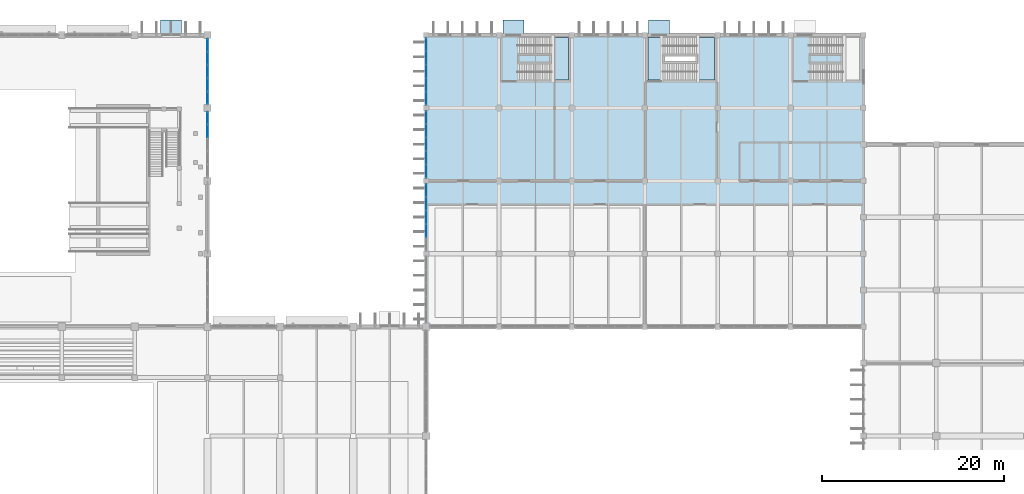
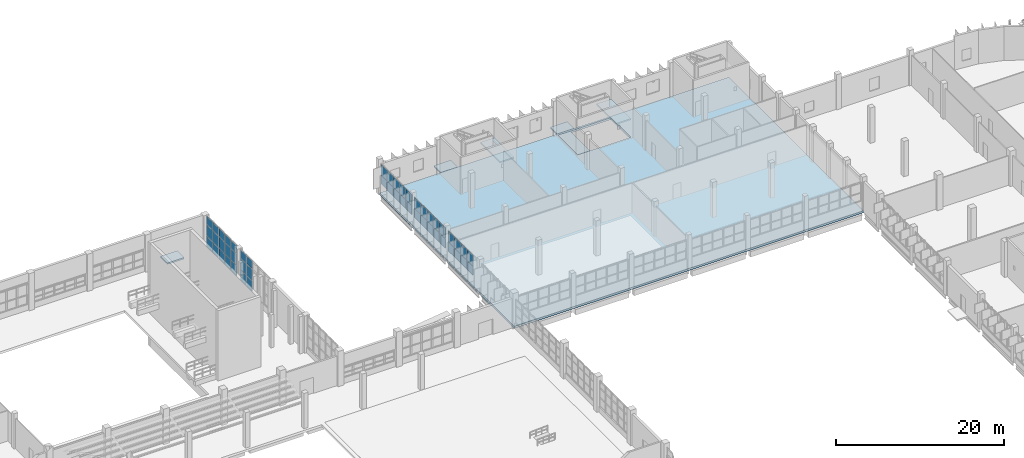
# One storey, part 61 of 103: 49 plates, 7 slabs, 7 elements without a shape of their own.
"""IFC4 building model written with IfcOpenShell, lengths in metres."""

import ifcopenshell
import ifcopenshell.guid

model = None  # the IFC model being written
_history = None  # IfcOwnerHistory: only IFC2X3 demands one
_inside = {}  # id of a spatial element -> (the spatial element, [elements in it])
_under = {}  # id of a project, library or spatial element -> (it, [spatial elements below it])
_declared = {}  # id of a project -> (the project, [libraries it declares])
_typed = {}  # id of a type object -> (the type object, [elements of that type])
_made_of = {}  # id of a material, layer set ... -> (it, [elements and type objects made of it])


def new_model(schema):
    """Start an empty IFC model of exactly this schema.

    Asked for "IFC4X3", IfcOpenShell would pick the latest addendum, in which some entities
    have other attributes; the version numbers below select the first issue.
    IFC2X3 requires an IfcOwnerHistory on every rooted entity: one is made here for all.
    """
    global model, _history
    if schema == "IFC4X3":
        model = ifcopenshell.file(schema_version=(4, 3, 0, 0))
    else:
        model = ifcopenshell.file(schema=schema)
    _inside.clear()
    _under.clear()
    _declared.clear()
    _typed.clear()
    _made_of.clear()
    _history = None
    if model.schema == "IFC2X3":
        org = make("IfcOrganization", Name="unknown")
        user = make(
            "IfcPersonAndOrganization",
            ThePerson=make("IfcPerson", FamilyName="unknown"),
            TheOrganization=org,
        )
        app = make(
            "IfcApplication",
            ApplicationDeveloper=org,
            Version="unknown",
            ApplicationFullName="unknown",
            ApplicationIdentifier="unknown",
        )
        _history = make(
            "IfcOwnerHistory",
            OwningUser=user,
            OwningApplication=app,
            ChangeAction="ADDED",
            CreationDate=0,
        )
    return model


def make(cls, **values):
    """One entity of the class cls with the attributes given. An attribute that is None is left unset."""
    return model.create_entity(
        cls, **{name: value for name, value in values.items() if value is not None}
    )


def rooted(cls, **values):
    """An entity with a GlobalId (a new one), such as an element, a storey or a relation."""
    return make(cls, GlobalId=ifcopenshell.guid.new(), OwnerHistory=_history, **values)


def si_unit(unit_type, name, prefix=None):
    """IfcSIUnit, for example si_unit("LENGTHUNIT", "METRE", prefix="MILLI")."""
    return make("IfcSIUnit", UnitType=unit_type, Prefix=prefix, Name=name)


def assignment(units):
    """IfcUnitAssignment: the units of a project."""
    return None if units is None else make("IfcUnitAssignment", Units=units)


def point(xyz):
    """IfcCartesianPoint."""
    return None if xyz is None else make("IfcCartesianPoint", Coordinates=xyz)


def direction(xyz):
    """IfcDirection."""
    return None if xyz is None else make("IfcDirection", DirectionRatios=xyz)


def frame(location, z_axis=None, x_axis=None):
    """IfcAxis2Placement3D, a coordinate frame: its origin and axes. An axis left out is left unset."""
    return make(
        "IfcAxis2Placement3D",
        Location=point(location),
        Axis=direction(z_axis),
        RefDirection=direction(x_axis),
    )


def frame_2d(location, x_axis=None):
    """IfcAxis2Placement2D, a coordinate frame in the plane: its origin and x axis."""
    return make(
        "IfcAxis2Placement2D", Location=point(location), RefDirection=direction(x_axis)
    )


def origin():
    """The frame at (0, 0, 0) with its axes left unset."""
    return frame((0.0, 0.0, 0.0))


def origin_2d():
    """The frame at (0, 0) in the plane with its x axis left unset."""
    return frame_2d((0.0, 0.0))


def place(relative_to, where):
    """IfcLocalPlacement: puts the frame where relative to a parent placement (None: the world)."""
    return make(
        "IfcLocalPlacement", PlacementRelTo=relative_to, RelativePlacement=where
    )


def context(
    kind, dimensions, precision=None, world=None, true_north=None, identifier=None
):
    """IfcGeometricRepresentationContext, for example the 3D "Model" context."""
    return make(
        "IfcGeometricRepresentationContext",
        ContextIdentifier=identifier,
        ContextType=kind,
        CoordinateSpaceDimension=dimensions,
        Precision=precision,
        WorldCoordinateSystem=world,
        TrueNorth=true_north,
    )


def subcontext(parent, identifier, kind, view, scale=None):
    """IfcGeometricRepresentationSubContext, for example "Body" below "Model"."""
    return make(
        "IfcGeometricRepresentationSubContext",
        ContextIdentifier=identifier,
        ContextType=kind,
        ParentContext=parent,
        TargetScale=scale,
        TargetView=view,
    )


def project(units=None, contexts=None):
    """IfcProject with its units and contexts."""
    return rooted(
        "IfcProject",
        Name="project",
        RepresentationContexts=contexts,
        UnitsInContext=assignment(units),
    )


def spatial(cls, under=None, at=None, **own):
    """A site, building, storey or space (cls), placed at a placement, below another one or the project."""
    s = rooted(cls, ObjectPlacement=at, **own)
    if under is not None:
        _under.setdefault(under.id(), (under, []))[1].append(s)
    return s


def polyline(points):
    """IfcPolyline through the points."""
    return make("IfcPolyline", Points=[point(p) for p in points])


def profile(cls, at=None, kind="AREA", **sizes):
    """A parametric profile (cls). Its sizes go by their IFC names, for example OverallWidth=200.0."""
    return make(cls, ProfileType=kind, Position=at, **sizes)


def rectangle(**sizes):
    """IfcRectangleProfileDef."""
    return profile("IfcRectangleProfileDef", **sizes)


def outline(outer, holes=None, kind="AREA"):
    """IfcArbitraryClosedProfileDef: a profile drawn as a closed curve; with holes, ...WithVoids."""
    if holes is None:
        return make("IfcArbitraryClosedProfileDef", ProfileType=kind, OuterCurve=outer)
    return make(
        "IfcArbitraryProfileDefWithVoids",
        ProfileType=kind,
        OuterCurve=outer,
        InnerCurves=holes,
    )


def extrude(swept, where, along, depth):
    """IfcExtrudedAreaSolid: the profile swept, set in the frame where, extruded along a direction by depth."""
    return make(
        "IfcExtrudedAreaSolid",
        SweptArea=swept,
        Position=where,
        ExtrudedDirection=direction(along),
        Depth=depth,
    )


def shape(context_of_items, identifier, shape_type, items):
    """IfcShapeRepresentation: the items that make up one representation, for example the "Body"."""
    return make(
        "IfcShapeRepresentation",
        ContextOfItems=context_of_items,
        RepresentationIdentifier=identifier,
        RepresentationType=shape_type,
        Items=items,
    )


def material(Name=None, Category=None):
    """IfcMaterial."""
    return make("IfcMaterial", Name=Name, Category=Category)


def layer(
    of_material, thickness, ventilated=None, Name=None, Category=None, Priority=None
):
    """IfcMaterialLayer: one layer of a wall or slab, of a material (None: an air gap)."""
    return make(
        "IfcMaterialLayer",
        Material=of_material,
        LayerThickness=thickness,
        IsVentilated=ventilated,
        Name=Name,
        Category=Category,
        Priority=Priority,
    )


def layer_set(layers, Name=None):
    """IfcMaterialLayerSet."""
    return make("IfcMaterialLayerSet", MaterialLayers=layers, LayerSetName=Name)


def made_of(thing, what):
    """Note that an element or type object is made of a material, layer set ...; save() writes the relation."""
    if what is not None:
        _made_of.setdefault(what.id(), (what, []))[1].append(thing)
    return thing


def type_object(cls, material=None, **own):
    """A type object (cls), such as IfcWallType, which elements share."""
    return made_of(rooted(cls, **own), material)


def element(
    cls,
    number,
    at=None,
    inside=None,
    cuts=None,
    type_object=None,
    material=None,
    context=None,
    identifier="Body",
    shape_type=None,
    held_by="IfcProductDefinitionShape",
    body=None,
    shapes=None,
    **own,
):
    """One element of the class cls, such as IfcWall. Its Tag is "e" and its number.

    at: its placement. inside: the storey or other place that contains it. cuts: it is an
    opening in that element (IfcRelVoidsElement). A single representation is given by context,
    identifier, shape_type and body (its items); several are given by shapes. held_by: the class
    of the entity that holds the representations. save() writes the other relations.
    """
    e = rooted(cls, Tag="e%d" % number, ObjectPlacement=at, **own)
    if body is not None:
        shapes = [shape(context, identifier, shape_type, body)]
    if shapes is not None:
        e.Representation = make(held_by, Representations=shapes)
    if inside is not None:
        _inside.setdefault(inside.id(), (inside, []))[1].append(e)
    if cuts is not None:
        rooted(
            "IfcRelVoidsElement", RelatingBuildingElement=cuts, RelatedOpeningElement=e
        )
    if type_object is not None:
        _typed.setdefault(type_object.id(), (type_object, []))[1].append(e)
    return made_of(e, material)


def aggregate(whole, parts):
    """IfcRelAggregates: a whole, such as a stair, and the parts it consists of."""
    return rooted("IfcRelAggregates", RelatingObject=whole, RelatedObjects=parts)


def save(model, path):
    """Write the relations noted so far, then the file.

    IfcRelAggregates (storeys below a building ...), IfcRelContainedInSpatialStructure (elements
    in a storey), IfcRelDefinesByType, IfcRelAssociatesMaterial and IfcRelDeclares: one each for
    every whole, place, type object, material and project.
    """
    for whole, parts in _under.values():
        aggregate(whole, parts)
    for where, things in _inside.values():
        rooted(
            "IfcRelContainedInSpatialStructure",
            RelatedElements=things,
            RelatingStructure=where,
        )
    for kind, things in _typed.values():
        rooted("IfcRelDefinesByType", RelatedObjects=things, RelatingType=kind)
    for what, things in _made_of.values():
        rooted("IfcRelAssociatesMaterial", RelatedObjects=things, RelatingMaterial=what)
    for by, libraries in _declared.values():
        rooted("IfcRelDeclares", RelatingContext=by, RelatedDefinitions=libraries)
    model.write(path)


model = new_model("IFC4")

# Units and contexts
model_context = context("Model", 3, precision=1e-05, world=origin(), true_north=direction((0.0, 1.0)))
body_context = subcontext(model_context, "Body", "Model", "MODEL_VIEW")
ifc_project = project(units=[si_unit("LENGTHUNIT", "METRE"), si_unit("AREAUNIT", "SQUARE_METRE"), si_unit("VOLUMEUNIT", "CUBIC_METRE"), si_unit("PLANEANGLEUNIT", "RADIAN"), si_unit("MASSUNIT", "GRAM", prefix="KILO")], contexts=[model_context])

# Site, building, storey
site_placement = place(None, origin())
site = spatial("IfcSite", under=ifc_project, at=site_placement, CompositionType="ELEMENT")
building_placement = place(site_placement, origin())
building = spatial("IfcBuilding", under=site, at=building_placement, Name="Drelvana Railside Aquatics Centre", CompositionType="ELEMENT")
storey_placement = place(building_placement, origin())
storey = spatial("IfcBuildingStorey", under=building, at=storey_placement, Name="L00", CompositionType="ELEMENT", Elevation=0.0)

# Curtain wall, plates
ifc_material_1 = material(Name="Bronze-anodised aluminium curtain wall", Category="aluminium")
ifc_layer_1 = layer(ifc_material_1, 0.1650390625, Name="Bronze-anodised aluminium curtain wall")
ifc_layer_set_1 = layer_set([ifc_layer_1], Name="Bronze-anodised aluminium curtain wall")
curtain_wall_type_1 = type_object("IfcCurtainWallType", Name="CW-Z5-COURT", PredefinedType="NOTDEFINED", material=ifc_layer_set_1)
curtain_wall_1_placement = place(storey_placement, origin())
curtain_wall_1 = element("IfcCurtainWall", 1, at=curtain_wall_1_placement, inside=storey, type_object=curtain_wall_type_1, Name="Curtain wall CW-05-129", PredefinedType="NOTDEFINED")
ifc_material_2 = material(Name="Double-glazed low-e solar-control glass", Category="glass")
ifc_layer_2 = layer(ifc_material_2, 0.02587890625, Name="Double-glazed low-e solar-control glass")
ifc_layer_set_2 = layer_set([ifc_layer_2], Name="Double-glazed low-e solar-control glass")
plate_type_1 = type_object("IfcPlateType", Name="CW-Z5-COURT-PAN", PredefinedType="CURTAIN_PANEL", material=ifc_layer_set_2)
plate_1_placement = place(storey_placement, frame((96.0, 94.517578125, 1.4990234375), z_axis=(0.0, 0.0, 1.0), x_axis=(0.0, 1.0, 0.0)))
plate_1 = element("IfcPlate", 2, at=plate_1_placement, type_object=plate_type_1, Name="CW-05 panel 2.1", PredefinedType="CURTAIN_PANEL", context=body_context, shape_type="SweptSolid", body=[
    extrude(rectangle(XDim=1.432373046875, YDim=0.02587890625, at=origin_2d()), origin(), (0.0, 0.0, 1.0), 1.27294921875),
])
plate_2_placement = place(storey_placement, frame((96.0, 94.517578125, 2.82177734375), z_axis=(0.0, 0.0, 1.0), x_axis=(0.0, 1.0, 0.0)))
plate_2 = element("IfcPlate", 3, at=plate_2_placement, type_object=plate_type_1, Name="CW-05 panel 2.2", PredefinedType="CURTAIN_PANEL", context=body_context, shape_type="SweptSolid", body=[
    extrude(rectangle(XDim=1.432373046875, YDim=0.02587890625, at=origin_2d()), origin(), (0.0, 0.0, 1.0), 1.572998046875),
])
plate_3_placement = place(storey_placement, frame((96.0, 96.0, 1.4990234375), z_axis=(0.0, 0.0, 1.0), x_axis=(0.0, 1.0, 0.0)))
plate_3 = element("IfcPlate", 4, at=plate_3_placement, type_object=plate_type_1, Name="CW-05 panel 3.1", PredefinedType="CURTAIN_PANEL", context=body_context, shape_type="SweptSolid", body=[
    extrude(rectangle(XDim=1.432373046875, YDim=0.02587890625, at=origin_2d()), origin(), (0.0, 0.0, 1.0), 1.27294921875),
])
plate_4_placement = place(storey_placement, frame((96.0, 96.0, 2.82177734375), z_axis=(0.0, 0.0, 1.0), x_axis=(0.0, 1.0, 0.0)))
plate_4 = element("IfcPlate", 5, at=plate_4_placement, type_object=plate_type_1, Name="CW-05 panel 3.2", PredefinedType="CURTAIN_PANEL", context=body_context, shape_type="SweptSolid", body=[
    extrude(rectangle(XDim=1.432373046875, YDim=0.02587890625, at=origin_2d()), origin(), (0.0, 0.0, 1.0), 1.572998046875),
])
plate_5_placement = place(storey_placement, frame((96.0, 97.482421875, 1.4990234375), z_axis=(0.0, 0.0, 1.0), x_axis=(0.0, 1.0, 0.0)))
plate_5 = element("IfcPlate", 6, at=plate_5_placement, type_object=plate_type_1, Name="CW-05 panel 4.1", PredefinedType="CURTAIN_PANEL", context=body_context, shape_type="SweptSolid", body=[
    extrude(rectangle(XDim=1.432373046875, YDim=0.02587890625, at=origin_2d()), origin(), (0.0, 0.0, 1.0), 1.27294921875),
])
plate_6_placement = place(storey_placement, frame((96.0, 97.482421875, 2.82177734375), z_axis=(0.0, 0.0, 1.0), x_axis=(0.0, 1.0, 0.0)))
plate_6 = element("IfcPlate", 7, at=plate_6_placement, type_object=plate_type_1, Name="CW-05 panel 4.2", PredefinedType="CURTAIN_PANEL", context=body_context, shape_type="SweptSolid", body=[
    extrude(rectangle(XDim=1.432373046875, YDim=0.02587890625, at=origin_2d()), origin(), (0.0, 0.0, 1.0), 1.572998046875),
])
plate_7_placement = place(storey_placement, frame((96.0, 98.94970703125, 1.4990234375), z_axis=(0.0, 0.0, 1.0), x_axis=(0.0, 1.0, 0.0)))
plate_7 = element("IfcPlate", 8, at=plate_7_placement, type_object=plate_type_1, Name="CW-05 panel 5.1", PredefinedType="CURTAIN_PANEL", context=body_context, shape_type="SweptSolid", body=[
    extrude(rectangle(XDim=1.40234375, YDim=0.02587890625, at=origin_2d()), origin(), (0.0, 0.0, 1.0), 1.27294921875),
])
plate_8_placement = place(storey_placement, frame((96.0, 98.94970703125, 2.82177734375), z_axis=(0.0, 0.0, 1.0), x_axis=(0.0, 1.0, 0.0)))
plate_8 = element("IfcPlate", 9, at=plate_8_placement, type_object=plate_type_1, Name="CW-05 panel 5.2", PredefinedType="CURTAIN_PANEL", context=body_context, shape_type="SweptSolid", body=[
    extrude(rectangle(XDim=1.40234375, YDim=0.02587890625, at=origin_2d()), origin(), (0.0, 0.0, 1.0), 1.572998046875),
])
aggregate(curtain_wall_1, [plate_1, plate_2, plate_3, plate_4, plate_5, plate_6, plate_7, plate_8])

curtain_wall_2_placement = place(storey_placement, origin())
curtain_wall_2 = element("IfcCurtainWall", 10, at=curtain_wall_2_placement, inside=storey, type_object=curtain_wall_type_1, Name="Curtain wall CW-05-131", PredefinedType="NOTDEFINED")
plate_9_placement = place(storey_placement, frame((96.0, 101.05029296875, 1.4990234375), z_axis=(0.0, 0.0, 1.0), x_axis=(0.0, 1.0, 0.0)))
plate_9 = element("IfcPlate", 11, at=plate_9_placement, type_object=plate_type_1, Name="CW-05 panel 1.1", PredefinedType="CURTAIN_PANEL", context=body_context, shape_type="SweptSolid", body=[
    extrude(rectangle(XDim=1.40234375, YDim=0.02587890625, at=origin_2d()), origin(), (0.0, 0.0, 1.0), 1.27294921875),
])
plate_10_placement = place(storey_placement, frame((96.0, 101.05029296875, 2.82177734375), z_axis=(0.0, 0.0, 1.0), x_axis=(0.0, 1.0, 0.0)))
plate_10 = element("IfcPlate", 12, at=plate_10_placement, type_object=plate_type_1, Name="CW-05 panel 1.2", PredefinedType="CURTAIN_PANEL", context=body_context, shape_type="SweptSolid", body=[
    extrude(rectangle(XDim=1.40234375, YDim=0.02587890625, at=origin_2d()), origin(), (0.0, 0.0, 1.0), 1.572998046875),
])
plate_11_placement = place(storey_placement, frame((96.0, 102.517578125, 1.4990234375), z_axis=(0.0, 0.0, 1.0), x_axis=(0.0, 1.0, 0.0)))
plate_11 = element("IfcPlate", 13, at=plate_11_placement, type_object=plate_type_1, Name="CW-05 panel 2.1", PredefinedType="CURTAIN_PANEL", context=body_context, shape_type="SweptSolid", body=[
    extrude(rectangle(XDim=1.432373046875, YDim=0.02587890625, at=origin_2d()), origin(), (0.0, 0.0, 1.0), 1.27294921875),
])
plate_12_placement = place(storey_placement, frame((96.0, 102.517578125, 2.82177734375), z_axis=(0.0, 0.0, 1.0), x_axis=(0.0, 1.0, 0.0)))
plate_12 = element("IfcPlate", 14, at=plate_12_placement, type_object=plate_type_1, Name="CW-05 panel 2.2", PredefinedType="CURTAIN_PANEL", context=body_context, shape_type="SweptSolid", body=[
    extrude(rectangle(XDim=1.432373046875, YDim=0.02587890625, at=origin_2d()), origin(), (0.0, 0.0, 1.0), 1.572998046875),
])
plate_13_placement = place(storey_placement, frame((96.0, 104.0, 1.4990234375), z_axis=(0.0, 0.0, 1.0), x_axis=(0.0, 1.0, 0.0)))
plate_13 = element("IfcPlate", 15, at=plate_13_placement, type_object=plate_type_1, Name="CW-05 panel 3.1", PredefinedType="CURTAIN_PANEL", context=body_context, shape_type="SweptSolid", body=[
    extrude(rectangle(XDim=1.432373046875, YDim=0.02587890625, at=origin_2d()), origin(), (0.0, 0.0, 1.0), 1.27294921875),
])
plate_14_placement = place(storey_placement, frame((96.0, 104.0, 2.82177734375), z_axis=(0.0, 0.0, 1.0), x_axis=(0.0, 1.0, 0.0)))
plate_14 = element("IfcPlate", 16, at=plate_14_placement, type_object=plate_type_1, Name="CW-05 panel 3.2", PredefinedType="CURTAIN_PANEL", context=body_context, shape_type="SweptSolid", body=[
    extrude(rectangle(XDim=1.432373046875, YDim=0.02587890625, at=origin_2d()), origin(), (0.0, 0.0, 1.0), 1.572998046875),
])
plate_15_placement = place(storey_placement, frame((96.0, 105.482421875, 1.4990234375), z_axis=(0.0, 0.0, 1.0), x_axis=(0.0, 1.0, 0.0)))
plate_15 = element("IfcPlate", 17, at=plate_15_placement, type_object=plate_type_1, Name="CW-05 panel 4.1", PredefinedType="CURTAIN_PANEL", context=body_context, shape_type="SweptSolid", body=[
    extrude(rectangle(XDim=1.432373046875, YDim=0.02587890625, at=origin_2d()), origin(), (0.0, 0.0, 1.0), 1.27294921875),
])
plate_16_placement = place(storey_placement, frame((96.0, 105.482421875, 2.82177734375), z_axis=(0.0, 0.0, 1.0), x_axis=(0.0, 1.0, 0.0)))
plate_16 = element("IfcPlate", 18, at=plate_16_placement, type_object=plate_type_1, Name="CW-05 panel 4.2", PredefinedType="CURTAIN_PANEL", context=body_context, shape_type="SweptSolid", body=[
    extrude(rectangle(XDim=1.432373046875, YDim=0.02587890625, at=origin_2d()), origin(), (0.0, 0.0, 1.0), 1.572998046875),
])
plate_17_placement = place(storey_placement, frame((96.0, 106.94970703125, 1.4990234375), z_axis=(0.0, 0.0, 1.0), x_axis=(0.0, 1.0, 0.0)))
plate_17 = element("IfcPlate", 19, at=plate_17_placement, type_object=plate_type_1, Name="CW-05 panel 5.1", PredefinedType="CURTAIN_PANEL", context=body_context, shape_type="SweptSolid", body=[
    extrude(rectangle(XDim=1.40234375, YDim=0.02587890625, at=origin_2d()), origin(), (0.0, 0.0, 1.0), 1.27294921875),
])
plate_18_placement = place(storey_placement, frame((96.0, 106.94970703125, 2.82177734375), z_axis=(0.0, 0.0, 1.0), x_axis=(0.0, 1.0, 0.0)))
plate_18 = element("IfcPlate", 20, at=plate_18_placement, type_object=plate_type_1, Name="CW-05 panel 5.2", PredefinedType="CURTAIN_PANEL", context=body_context, shape_type="SweptSolid", body=[
    extrude(rectangle(XDim=1.40234375, YDim=0.02587890625, at=origin_2d()), origin(), (0.0, 0.0, 1.0), 1.572998046875),
])
aggregate(curtain_wall_2, [plate_9, plate_10, plate_11, plate_12, plate_13, plate_14, plate_15, plate_16, plate_17, plate_18])

curtain_wall_3_placement = place(storey_placement, origin())
curtain_wall_3 = element("IfcCurtainWall", 21, at=curtain_wall_3_placement, inside=storey, type_object=curtain_wall_type_1, Name="Curtain wall CW-05-133", PredefinedType="NOTDEFINED")
plate_19_placement = place(storey_placement, frame((96.0, 109.05029296875, 1.4990234375), z_axis=(0.0, 0.0, 1.0), x_axis=(0.0, 1.0, 0.0)))
plate_19 = element("IfcPlate", 22, at=plate_19_placement, type_object=plate_type_1, Name="CW-05 panel 1.1", PredefinedType="CURTAIN_PANEL", context=body_context, shape_type="SweptSolid", body=[
    extrude(rectangle(XDim=1.40234375, YDim=0.02587890625, at=origin_2d()), origin(), (0.0, 0.0, 1.0), 1.27294921875),
])
plate_20_placement = place(storey_placement, frame((96.0, 109.05029296875, 2.82177734375), z_axis=(0.0, 0.0, 1.0), x_axis=(0.0, 1.0, 0.0)))
plate_20 = element("IfcPlate", 23, at=plate_20_placement, type_object=plate_type_1, Name="CW-05 panel 1.2", PredefinedType="CURTAIN_PANEL", context=body_context, shape_type="SweptSolid", body=[
    extrude(rectangle(XDim=1.40234375, YDim=0.02587890625, at=origin_2d()), origin(), (0.0, 0.0, 1.0), 1.572998046875),
])
plate_21_placement = place(storey_placement, frame((96.0, 110.517578125, 1.4990234375), z_axis=(0.0, 0.0, 1.0), x_axis=(0.0, 1.0, 0.0)))
plate_21 = element("IfcPlate", 24, at=plate_21_placement, type_object=plate_type_1, Name="CW-05 panel 2.1", PredefinedType="CURTAIN_PANEL", context=body_context, shape_type="SweptSolid", body=[
    extrude(rectangle(XDim=1.432373046875, YDim=0.02587890625, at=origin_2d()), origin(), (0.0, 0.0, 1.0), 1.27294921875),
])
plate_22_placement = place(storey_placement, frame((96.0, 110.517578125, 2.82177734375), z_axis=(0.0, 0.0, 1.0), x_axis=(0.0, 1.0, 0.0)))
plate_22 = element("IfcPlate", 25, at=plate_22_placement, type_object=plate_type_1, Name="CW-05 panel 2.2", PredefinedType="CURTAIN_PANEL", context=body_context, shape_type="SweptSolid", body=[
    extrude(rectangle(XDim=1.432373046875, YDim=0.02587890625, at=origin_2d()), origin(), (0.0, 0.0, 1.0), 1.572998046875),
])
plate_23_placement = place(storey_placement, frame((96.0, 112.0, 1.4990234375), z_axis=(0.0, 0.0, 1.0), x_axis=(0.0, 1.0, 0.0)))
plate_23 = element("IfcPlate", 26, at=plate_23_placement, type_object=plate_type_1, Name="CW-05 panel 3.1", PredefinedType="CURTAIN_PANEL", context=body_context, shape_type="SweptSolid", body=[
    extrude(rectangle(XDim=1.432373046875, YDim=0.02587890625, at=origin_2d()), origin(), (0.0, 0.0, 1.0), 1.27294921875),
])
plate_24_placement = place(storey_placement, frame((96.0, 112.0, 2.82177734375), z_axis=(0.0, 0.0, 1.0), x_axis=(0.0, 1.0, 0.0)))
plate_24 = element("IfcPlate", 27, at=plate_24_placement, type_object=plate_type_1, Name="CW-05 panel 3.2", PredefinedType="CURTAIN_PANEL", context=body_context, shape_type="SweptSolid", body=[
    extrude(rectangle(XDim=1.432373046875, YDim=0.02587890625, at=origin_2d()), origin(), (0.0, 0.0, 1.0), 1.572998046875),
])
plate_25_placement = place(storey_placement, frame((96.0, 113.482421875, 1.4990234375), z_axis=(0.0, 0.0, 1.0), x_axis=(0.0, 1.0, 0.0)))
plate_25 = element("IfcPlate", 28, at=plate_25_placement, type_object=plate_type_1, Name="CW-05 panel 4.1", PredefinedType="CURTAIN_PANEL", context=body_context, shape_type="SweptSolid", body=[
    extrude(rectangle(XDim=1.432373046875, YDim=0.02587890625, at=origin_2d()), origin(), (0.0, 0.0, 1.0), 1.27294921875),
])
plate_26_placement = place(storey_placement, frame((96.0, 113.482421875, 2.82177734375), z_axis=(0.0, 0.0, 1.0), x_axis=(0.0, 1.0, 0.0)))
plate_26 = element("IfcPlate", 29, at=plate_26_placement, type_object=plate_type_1, Name="CW-05 panel 4.2", PredefinedType="CURTAIN_PANEL", context=body_context, shape_type="SweptSolid", body=[
    extrude(rectangle(XDim=1.432373046875, YDim=0.02587890625, at=origin_2d()), origin(), (0.0, 0.0, 1.0), 1.572998046875),
])
plate_27_placement = place(storey_placement, frame((96.0, 114.94970703125, 1.4990234375), z_axis=(0.0, 0.0, 1.0), x_axis=(0.0, 1.0, 0.0)))
plate_27 = element("IfcPlate", 30, at=plate_27_placement, type_object=plate_type_1, Name="CW-05 panel 5.1", PredefinedType="CURTAIN_PANEL", context=body_context, shape_type="SweptSolid", body=[
    extrude(rectangle(XDim=1.40234375, YDim=0.02587890625, at=origin_2d()), origin(), (0.0, 0.0, 1.0), 1.27294921875),
])
plate_28_placement = place(storey_placement, frame((96.0, 114.94970703125, 2.82177734375), z_axis=(0.0, 0.0, 1.0), x_axis=(0.0, 1.0, 0.0)))
plate_28 = element("IfcPlate", 31, at=plate_28_placement, type_object=plate_type_1, Name="CW-05 panel 5.2", PredefinedType="CURTAIN_PANEL", context=body_context, shape_type="SweptSolid", body=[
    extrude(rectangle(XDim=1.40234375, YDim=0.02587890625, at=origin_2d()), origin(), (0.0, 0.0, 1.0), 1.572998046875),
])
aggregate(curtain_wall_3, [plate_19, plate_20, plate_21, plate_22, plate_23, plate_24, plate_25, plate_26, plate_27, plate_28])

ifc_layer_3 = layer(ifc_material_1, 0.2099609375, Name="Bronze-anodised aluminium curtain wall")
ifc_layer_set_3 = layer_set([ifc_layer_3], Name="Bronze-anodised aluminium curtain wall")
curtain_wall_type_2 = type_object("IfcCurtainWallType", Name="CW-Z7-DIVE", PredefinedType="NOTDEFINED", material=ifc_layer_set_3)
curtain_wall_4_placement = place(storey_placement, origin())
curtain_wall_4 = element("IfcCurtainWall", 32, at=curtain_wall_4_placement, inside=storey, type_object=curtain_wall_type_2, Name="Curtain wall CW-07-093", PredefinedType="NOTDEFINED")
ifc_layer_4 = layer(ifc_material_2, 0.033935546875, Name="Double-glazed low-e solar-control glass")
ifc_layer_set_4 = layer_set([ifc_layer_4], Name="Double-glazed low-e solar-control glass")
plate_type_2 = type_object("IfcPlateType", Name="CW-Z7-DIVE-PAN", PredefinedType="CURTAIN_PANEL", material=ifc_layer_set_4)
plate_29_placement = place(storey_placement, frame((72.0, 105.452392578125, 0.908935546875), z_axis=(0.0, 0.0, 1.0), x_axis=(0.0, 1.0, 0.0)))
plate_29 = element("IfcPlate", 33, at=plate_29_placement, type_object=plate_type_2, Name="CW-07 panel 4.1", PredefinedType="CURTAIN_PANEL", context=body_context, shape_type="SweptSolid", body=[
    extrude(rectangle(XDim=1.38232421875, YDim=0.033935546875, at=origin_2d()), origin(), (0.0, 0.0, 1.0), 1.49609375),
])
plate_30_placement = place(storey_placement, frame((72.0, 105.452392578125, 2.46484375), z_axis=(0.0, 0.0, 1.0), x_axis=(0.0, 1.0, 0.0)))
plate_30 = element("IfcPlate", 34, at=plate_30_placement, type_object=plate_type_2, Name="CW-07 panel 4.2", PredefinedType="CURTAIN_PANEL", context=body_context, shape_type="SweptSolid", body=[
    extrude(rectangle(XDim=1.38232421875, YDim=0.033935546875, at=origin_2d()), origin(), (0.0, 0.0, 1.0), 1.6220703125),
])
plate_31_placement = place(storey_placement, frame((72.0, 105.452392578125, 4.14697265625), z_axis=(0.0, 0.0, 1.0), x_axis=(0.0, 1.0, 0.0)))
plate_31 = element("IfcPlate", 35, at=plate_31_placement, type_object=plate_type_2, Name="CW-07 panel 4.3", PredefinedType="CURTAIN_PANEL", context=body_context, shape_type="SweptSolid", body=[
    extrude(rectangle(XDim=1.38232421875, YDim=0.033935546875, at=origin_2d()), origin(), (0.0, 0.0, 1.0), 1.177978515625),
])
plate_32_placement = place(storey_placement, frame((72.0, 106.884765625, 0.908935546875), z_axis=(0.0, 0.0, 1.0), x_axis=(0.0, 1.0, 0.0)))
plate_32 = element("IfcPlate", 36, at=plate_32_placement, type_object=plate_type_2, Name="CW-07 panel 5.1", PredefinedType="CURTAIN_PANEL", context=body_context, shape_type="SweptSolid", body=[
    extrude(rectangle(XDim=1.34228515625, YDim=0.033935546875, at=origin_2d()), origin(), (0.0, 0.0, 1.0), 1.49609375),
])
plate_33_placement = place(storey_placement, frame((72.0, 106.884765625, 2.46484375), z_axis=(0.0, 0.0, 1.0), x_axis=(0.0, 1.0, 0.0)))
plate_33 = element("IfcPlate", 37, at=plate_33_placement, type_object=plate_type_2, Name="CW-07 panel 5.2", PredefinedType="CURTAIN_PANEL", context=body_context, shape_type="SweptSolid", body=[
    extrude(rectangle(XDim=1.34228515625, YDim=0.033935546875, at=origin_2d()), origin(), (0.0, 0.0, 1.0), 1.6220703125),
])
plate_34_placement = place(storey_placement, frame((72.0, 106.884765625, 4.14697265625), z_axis=(0.0, 0.0, 1.0), x_axis=(0.0, 1.0, 0.0)))
plate_34 = element("IfcPlate", 38, at=plate_34_placement, type_object=plate_type_2, Name="CW-07 panel 5.3", PredefinedType="CURTAIN_PANEL", context=body_context, shape_type="SweptSolid", body=[
    extrude(rectangle(XDim=1.34228515625, YDim=0.033935546875, at=origin_2d()), origin(), (0.0, 0.0, 1.0), 1.177978515625),
])
aggregate(curtain_wall_4, [plate_29, plate_30, plate_31, plate_32, plate_33, plate_34])

curtain_wall_5_placement = place(storey_placement, origin())
curtain_wall_5 = element("IfcCurtainWall", 39, at=curtain_wall_5_placement, inside=storey, type_object=curtain_wall_type_2, Name="Curtain wall CW-07-096", PredefinedType="NOTDEFINED")
plate_35_placement = place(storey_placement, frame((72.0, 109.115234375, 0.908935546875), z_axis=(0.0, 0.0, 1.0), x_axis=(0.0, 1.0, 0.0)))
plate_35 = element("IfcPlate", 40, at=plate_35_placement, type_object=plate_type_2, Name="CW-07 panel 1.1", PredefinedType="CURTAIN_PANEL", context=body_context, shape_type="SweptSolid", body=[
    extrude(rectangle(XDim=1.34228515625, YDim=0.033935546875, at=origin_2d()), origin(), (0.0, 0.0, 1.0), 1.49609375),
])
plate_36_placement = place(storey_placement, frame((72.0, 109.115234375, 2.46484375), z_axis=(0.0, 0.0, 1.0), x_axis=(0.0, 1.0, 0.0)))
plate_36 = element("IfcPlate", 41, at=plate_36_placement, type_object=plate_type_2, Name="CW-07 panel 1.2", PredefinedType="CURTAIN_PANEL", context=body_context, shape_type="SweptSolid", body=[
    extrude(rectangle(XDim=1.34228515625, YDim=0.033935546875, at=origin_2d()), origin(), (0.0, 0.0, 1.0), 1.6220703125),
])
plate_37_placement = place(storey_placement, frame((72.0, 109.115234375, 4.14697265625), z_axis=(0.0, 0.0, 1.0), x_axis=(0.0, 1.0, 0.0)))
plate_37 = element("IfcPlate", 42, at=plate_37_placement, type_object=plate_type_2, Name="CW-07 panel 1.3", PredefinedType="CURTAIN_PANEL", context=body_context, shape_type="SweptSolid", body=[
    extrude(rectangle(XDim=1.34228515625, YDim=0.033935546875, at=origin_2d()), origin(), (0.0, 0.0, 1.0), 1.177978515625),
])
plate_38_placement = place(storey_placement, frame((72.0, 110.547607421875, 0.908935546875), z_axis=(0.0, 0.0, 1.0), x_axis=(0.0, 1.0, 0.0)))
plate_38 = element("IfcPlate", 43, at=plate_38_placement, type_object=plate_type_2, Name="CW-07 panel 2.1", PredefinedType="CURTAIN_PANEL", context=body_context, shape_type="SweptSolid", body=[
    extrude(rectangle(XDim=1.38232421875, YDim=0.033935546875, at=origin_2d()), origin(), (0.0, 0.0, 1.0), 1.49609375),
])
plate_39_placement = place(storey_placement, frame((72.0, 110.547607421875, 2.46484375), z_axis=(0.0, 0.0, 1.0), x_axis=(0.0, 1.0, 0.0)))
plate_39 = element("IfcPlate", 44, at=plate_39_placement, type_object=plate_type_2, Name="CW-07 panel 2.2", PredefinedType="CURTAIN_PANEL", context=body_context, shape_type="SweptSolid", body=[
    extrude(rectangle(XDim=1.38232421875, YDim=0.033935546875, at=origin_2d()), origin(), (0.0, 0.0, 1.0), 1.6220703125),
])
plate_40_placement = place(storey_placement, frame((72.0, 110.547607421875, 4.14697265625), z_axis=(0.0, 0.0, 1.0), x_axis=(0.0, 1.0, 0.0)))
plate_40 = element("IfcPlate", 45, at=plate_40_placement, type_object=plate_type_2, Name="CW-07 panel 2.3", PredefinedType="CURTAIN_PANEL", context=body_context, shape_type="SweptSolid", body=[
    extrude(rectangle(XDim=1.38232421875, YDim=0.033935546875, at=origin_2d()), origin(), (0.0, 0.0, 1.0), 1.177978515625),
])
plate_41_placement = place(storey_placement, frame((72.0, 112.0, 0.908935546875), z_axis=(0.0, 0.0, 1.0), x_axis=(0.0, 1.0, 0.0)))
plate_41 = element("IfcPlate", 46, at=plate_41_placement, type_object=plate_type_2, Name="CW-07 panel 3.1", PredefinedType="CURTAIN_PANEL", context=body_context, shape_type="SweptSolid", body=[
    extrude(rectangle(XDim=1.38232421875, YDim=0.033935546875, at=origin_2d()), origin(), (0.0, 0.0, 1.0), 1.49609375),
])
plate_42_placement = place(storey_placement, frame((72.0, 112.0, 2.46484375), z_axis=(0.0, 0.0, 1.0), x_axis=(0.0, 1.0, 0.0)))
plate_42 = element("IfcPlate", 47, at=plate_42_placement, type_object=plate_type_2, Name="CW-07 panel 3.2", PredefinedType="CURTAIN_PANEL", context=body_context, shape_type="SweptSolid", body=[
    extrude(rectangle(XDim=1.38232421875, YDim=0.033935546875, at=origin_2d()), origin(), (0.0, 0.0, 1.0), 1.6220703125),
])
plate_43_placement = place(storey_placement, frame((72.0, 112.0, 4.14697265625), z_axis=(0.0, 0.0, 1.0), x_axis=(0.0, 1.0, 0.0)))
plate_43 = element("IfcPlate", 48, at=plate_43_placement, type_object=plate_type_2, Name="CW-07 panel 3.3", PredefinedType="CURTAIN_PANEL", context=body_context, shape_type="SweptSolid", body=[
    extrude(rectangle(XDim=1.38232421875, YDim=0.033935546875, at=origin_2d()), origin(), (0.0, 0.0, 1.0), 1.177978515625),
])
plate_44_placement = place(storey_placement, frame((72.0, 113.452392578125, 0.908935546875), z_axis=(0.0, 0.0, 1.0), x_axis=(0.0, 1.0, 0.0)))
plate_44 = element("IfcPlate", 49, at=plate_44_placement, type_object=plate_type_2, Name="CW-07 panel 4.1", PredefinedType="CURTAIN_PANEL", context=body_context, shape_type="SweptSolid", body=[
    extrude(rectangle(XDim=1.38232421875, YDim=0.033935546875, at=origin_2d()), origin(), (0.0, 0.0, 1.0), 1.49609375),
])
plate_45_placement = place(storey_placement, frame((72.0, 113.452392578125, 2.46484375), z_axis=(0.0, 0.0, 1.0), x_axis=(0.0, 1.0, 0.0)))
plate_45 = element("IfcPlate", 50, at=plate_45_placement, type_object=plate_type_2, Name="CW-07 panel 4.2", PredefinedType="CURTAIN_PANEL", context=body_context, shape_type="SweptSolid", body=[
    extrude(rectangle(XDim=1.38232421875, YDim=0.033935546875, at=origin_2d()), origin(), (0.0, 0.0, 1.0), 1.6220703125),
])
plate_46_placement = place(storey_placement, frame((72.0, 113.452392578125, 4.14697265625), z_axis=(0.0, 0.0, 1.0), x_axis=(0.0, 1.0, 0.0)))
plate_46 = element("IfcPlate", 51, at=plate_46_placement, type_object=plate_type_2, Name="CW-07 panel 4.3", PredefinedType="CURTAIN_PANEL", context=body_context, shape_type="SweptSolid", body=[
    extrude(rectangle(XDim=1.38232421875, YDim=0.033935546875, at=origin_2d()), origin(), (0.0, 0.0, 1.0), 1.177978515625),
])
plate_47_placement = place(storey_placement, frame((72.0, 114.884765625, 0.908935546875), z_axis=(0.0, 0.0, 1.0), x_axis=(0.0, 1.0, 0.0)))
plate_47 = element("IfcPlate", 52, at=plate_47_placement, type_object=plate_type_2, Name="CW-07 panel 5.1", PredefinedType="CURTAIN_PANEL", context=body_context, shape_type="SweptSolid", body=[
    extrude(rectangle(XDim=1.34228515625, YDim=0.033935546875, at=origin_2d()), origin(), (0.0, 0.0, 1.0), 1.49609375),
])
plate_48_placement = place(storey_placement, frame((72.0, 114.884765625, 2.46484375), z_axis=(0.0, 0.0, 1.0), x_axis=(0.0, 1.0, 0.0)))
plate_48 = element("IfcPlate", 53, at=plate_48_placement, type_object=plate_type_2, Name="CW-07 panel 5.2", PredefinedType="CURTAIN_PANEL", context=body_context, shape_type="SweptSolid", body=[
    extrude(rectangle(XDim=1.34228515625, YDim=0.033935546875, at=origin_2d()), origin(), (0.0, 0.0, 1.0), 1.6220703125),
])
plate_49_placement = place(storey_placement, frame((72.0, 114.884765625, 4.14697265625), z_axis=(0.0, 0.0, 1.0), x_axis=(0.0, 1.0, 0.0)))
plate_49 = element("IfcPlate", 54, at=plate_49_placement, type_object=plate_type_2, Name="CW-07 panel 5.3", PredefinedType="CURTAIN_PANEL", context=body_context, shape_type="SweptSolid", body=[
    extrude(rectangle(XDim=1.34228515625, YDim=0.033935546875, at=origin_2d()), origin(), (0.0, 0.0, 1.0), 1.177978515625),
])
aggregate(curtain_wall_5, [plate_35, plate_36, plate_37, plate_38, plate_39, plate_40, plate_41, plate_42, plate_43, plate_44, plate_45, plate_46, plate_47, plate_48, plate_49])

# Slabs
ifc_material_3 = material(Name="Concrete C40/50", Category="concrete")
ifc_layer_5 = layer(ifc_material_3, 0.300048828125, Name="Concrete C40/50")
ifc_layer_set_5 = layer_set([ifc_layer_5], Name="Concrete C40/50")
slab_type_1 = type_object("IfcSlabType", Name="SL-L00-300", PredefinedType="FLOOR", material=ifc_layer_set_5)
slab_1_placement = place(storey_placement, frame((0.0, 0.0, -0.300048828125)))
element("IfcSlab", 55, at=slab_1_placement, inside=storey, type_object=slab_type_1, Name="Changing Pavilion ground floor slab", PredefinedType="FLOOR", context=body_context, shape_type="SweptSolid", body=[
    extrude(outline(polyline([(96.0, 84.0), (144.0, 84.0), (144.0, 116.0), (96.0, 116.0), (96.0, 84.0)]), holes=[polyline([(120.35009765625, 111.050048828125), (127.64990234375, 111.050048828125), (127.64990234375, 115.75), (120.35009765625, 115.75), (120.35009765625, 111.050048828125)])]), origin(), (0.0, 0.0, 1.0), 0.300048828125),
])
ifc_layer_6 = layer(ifc_material_3, 0.199951171875, Name="Concrete C40/50")
ifc_layer_set_6 = layer_set([ifc_layer_6], Name="Concrete C40/50")
slab_type_2 = type_object("IfcSlabType", Name="SL-LAND-200", PredefinedType="LANDING", material=ifc_layer_set_6)
slab_2_placement = place(storey_placement, frame((0.0, 0.0, -0.199951171875)))
element("IfcSlab", 56, at=slab_2_placement, inside=storey, type_object=slab_type_2, Name="Stair ST-05 L00 floor landing", PredefinedType="LANDING", context=body_context, shape_type="SweptSolid", body=[
    extrude(outline(polyline([(120.35009765625, 111.050048828125), (122.030029296875, 111.050048828125), (122.030029296875, 115.75), (120.35009765625, 115.75), (120.35009765625, 111.050048828125)])), origin(), (0.0, 0.0, 1.0), 0.199951171875),
])

# Stair, slab
stair_type = type_object("IfcStairType", Name="ST-CORE-L00", PredefinedType="HALF_TURN_STAIR", material=ifc_material_3)
stair_1_placement = place(storey_placement, origin())
stair_1 = element("IfcStair", 57, at=stair_1_placement, inside=storey, type_object=stair_type, Name="Exit stair ST-05 (L00 to L01)", PredefinedType="HALF_TURN_STAIR")
slab_3_placement = place(storey_placement, frame((0.0, 0.0, 2.5)))
slab_3 = element("IfcSlab", 58, at=slab_3_placement, type_object=slab_type_2, Name="ST-L0 landing 1", PredefinedType="LANDING", context=body_context, shape_type="SweptSolid", body=[
    extrude(outline(polyline([(125.659912109375, 111.050048828125), (127.64990234375, 111.050048828125), (127.64990234375, 115.75), (125.659912109375, 115.75), (125.659912109375, 111.050048828125)])), origin(), (0.0, 0.0, 1.0), 0.199951171875),
])
aggregate(stair_1, [slab_3])

stair_2_placement = place(storey_placement, origin())
stair_2 = element("IfcStair", 59, at=stair_2_placement, inside=storey, type_object=stair_type, Name="Exit stair ST-11 (L00 to L01)", PredefinedType="HALF_TURN_STAIR")
slab_4_placement = place(storey_placement, frame((0.0, 0.0, 2.5)))
slab_4 = element("IfcSlab", 60, at=slab_4_placement, type_object=slab_type_2, Name="ST-L0 landing 1", PredefinedType="LANDING", context=body_context, shape_type="SweptSolid", body=[
    extrude(outline(polyline([(109.7099609375, 111.050048828125), (111.60009765625, 111.050048828125), (111.60009765625, 115.75), (109.7099609375, 115.75), (109.7099609375, 111.050048828125)])), origin(), (0.0, 0.0, 1.0), 0.199951171875),
])
aggregate(stair_2, [slab_4])

# Slabs
ifc_material_4 = material(Name="Precast concrete C40/50", Category="concrete")
ifc_layer_7 = layer(ifc_material_4, 0.2099609375, Name="Precast concrete C40/50")
ifc_layer_set_7 = layer_set([ifc_layer_7], Name="Precast concrete C40/50")
slab_type_3 = type_object("IfcSlabType", Name="SL-PAV-210", PredefinedType="BASESLAB", material=ifc_layer_set_7)
slab_5_placement = place(storey_placement, frame((0.0, 0.0, -0.2099609375)))
element("IfcSlab", 61, at=slab_5_placement, inside=storey, type_object=slab_type_3, Name="Exterior threshold landing apron 005", PredefinedType="BASESLAB", context=body_context, shape_type="SweptSolid", body=[
    extrude(outline(polyline([(66.85009765625, 116.0048828125), (69.14990234375, 116.0048828125), (69.14990234375, 117.655029296875), (66.85009765625, 117.655029296875), (66.85009765625, 116.0048828125)])), origin(), (0.0, 0.0, 1.0), 0.2099609375),
])
slab_6_placement = place(storey_placement, frame((0.0, 0.0, -0.2099609375)))
element("IfcSlab", 62, at=slab_6_placement, inside=storey, type_object=slab_type_3, Name="Exterior threshold landing apron 014", PredefinedType="BASESLAB", context=body_context, shape_type="SweptSolid", body=[
    extrude(outline(polyline([(104.425048828125, 116.0048828125), (106.72509765625, 116.0048828125), (106.72509765625, 117.655029296875), (104.425048828125, 117.655029296875), (104.425048828125, 116.0048828125)])), origin(), (0.0, 0.0, 1.0), 0.2099609375),
])
slab_7_placement = place(storey_placement, frame((0.0, 0.0, -0.2099609375)))
element("IfcSlab", 63, at=slab_7_placement, inside=storey, type_object=slab_type_3, Name="Exterior threshold landing apron 015", PredefinedType="BASESLAB", context=body_context, shape_type="SweptSolid", body=[
    extrude(outline(polyline([(120.425048828125, 116.0048828125), (122.72509765625, 116.0048828125), (122.72509765625, 117.655029296875), (120.425048828125, 117.655029296875), (120.425048828125, 116.0048828125)])), origin(), (0.0, 0.0, 1.0), 0.2099609375),
])

save(model, "model.ifc")
